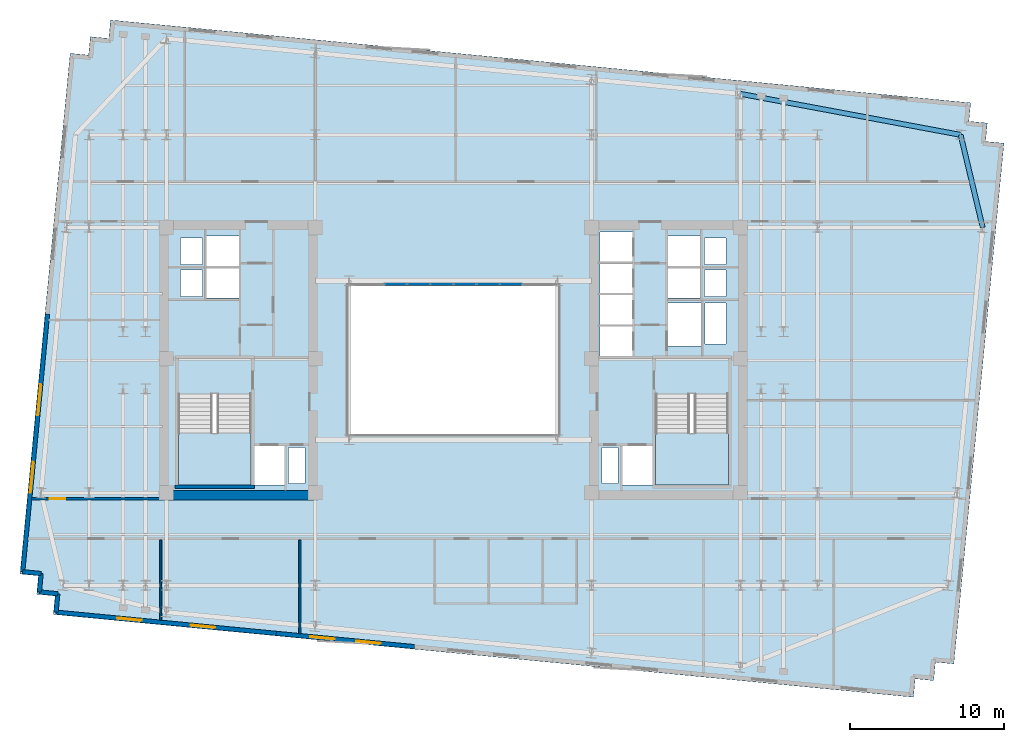
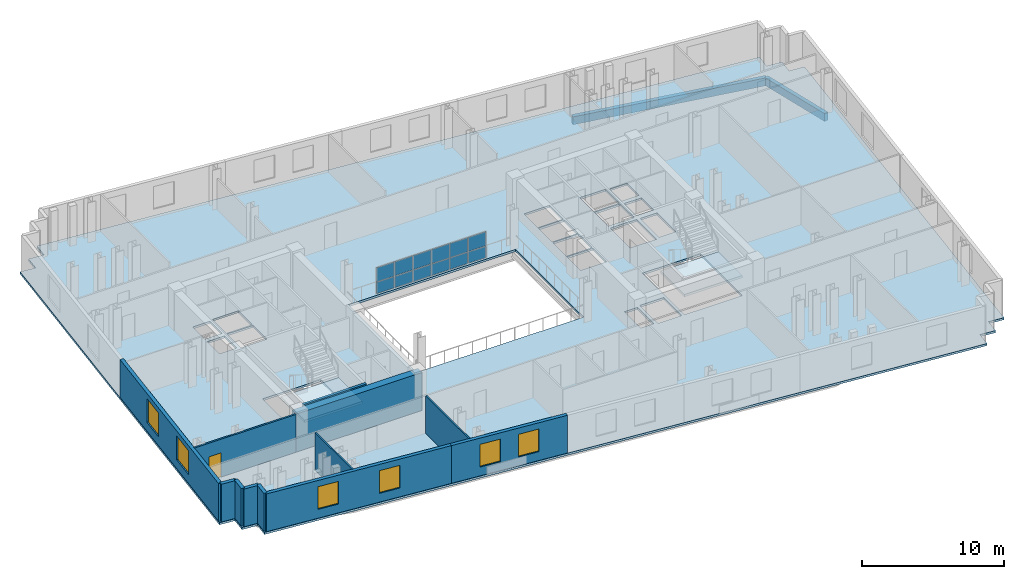
# One storey, part 4 of 10: 12 plates, 12 walls, 6 windows, 3 slabs, 2 beams, 1 door, 7 openings, 3 elements without a shape of their own.
"""IFC4 building model written with IfcOpenShell, lengths in metres."""

from ifc_helpers import new_model, si_unit, direction, frame, frame_2d, origin, origin_2d, place, context, subcontext, project, spatial, polyline, rectangle, outline, extrude, material, layer, layer_set, material_profile, profile_set, type_object, element, fill, aggregate, save


model = new_model("IFC4")

# Units and contexts
model_context = context("Model", 3, precision=1e-05, world=origin(), true_north=direction((0.0, 1.0)))
body_context = subcontext(model_context, "Body", "Model", "MODEL_VIEW")
ifc_project = project(units=[si_unit("LENGTHUNIT", "METRE"), si_unit("AREAUNIT", "SQUARE_METRE"), si_unit("VOLUMEUNIT", "CUBIC_METRE"), si_unit("PLANEANGLEUNIT", "RADIAN"), si_unit("MASSUNIT", "GRAM", prefix="KILO")], contexts=[model_context])

# Site, building, storey
site_placement = place(None, origin())
site = spatial("IfcSite", under=ifc_project, at=site_placement, CompositionType="ELEMENT")
building_placement = place(site_placement, origin())
building = spatial("IfcBuilding", under=site, at=building_placement, Name="Velakula Bourse", CompositionType="ELEMENT")
storey_placement = place(building_placement, frame((0.0, 0.0, 188.0)))
storey = spatial("IfcBuildingStorey", under=building, at=storey_placement, Name="L51", CompositionType="ELEMENT", Elevation=188.0)

# Beams
ifc_material_1 = material(Name="Precast concrete M45 (fck 45 MPa)", Category="concrete")
ifc_material_profile = material_profile(ifc_material_1, rectangle(XDim=0.320068359375, YDim=0.679931640625, at=origin_2d()), Name="Precast concrete M45 (fck 45 MPa)")
ifc_profile_set = profile_set([ifc_material_profile], Name="Precast concrete M45 (fck 45 MPa)")
beam_type = type_object("IfcBeamType", Name="SPN-BRICK-680", PredefinedType="SPANDREL", material=ifc_profile_set)
beam_1_placement = place(storey_placement, frame((34.30517578125, 8.60009765625, -0.52001953125), z_axis=(-0.232091371601, 0.972693988482, 0.0), x_axis=(-0.972693988482, -0.232091371601, 0.0)))
element("IfcBeam", 1, at=beam_1_placement, inside=storey, type_object=beam_type, Name="L51 Brick-Faced Precast Spandrel E3-E4", PredefinedType="SPANDREL", context=body_context, shape_type="SweptSolid", body=[
    extrude(rectangle(XDim=0.320068359375, YDim=0.679931640625, at=origin_2d()), origin(), (0.0, 0.0, 1.0), 6.16845703125),
])
beam_2_placement = place(storey_placement, frame((32.87353515625, 14.60009765625, -0.52001953125), z_axis=(-0.983069592122, 0.183232576378, 0.0), x_axis=(-0.183232576378, -0.983069592122, 0.0)))
element("IfcBeam", 2, at=beam_2_placement, inside=storey, type_object=beam_type, Name="L51 Brick-Faced Precast Spandrel E4-N4", PredefinedType="SPANDREL", context=body_context, shape_type="SweptSolid", body=[
    extrude(rectangle(XDim=0.320068359375, YDim=0.679931640625, at=origin_2d()), origin(), (0.0, 0.0, 1.0), 14.519287109375),
])

# Curtain wall, plates
ifc_material_2 = material(Name="Anodised bronze architectural aluminium", Category="aluminium")
ifc_layer_1 = layer(ifc_material_2, 0.14990234375, Name="Anodised bronze architectural aluminium", Category="aluminium")
ifc_layer_set_1 = layer_set([ifc_layer_1], Name="Anodised bronze architectural aluminium")
curtain_wall_type = type_object("IfcCurtainWallType", Name="CW-AT1", PredefinedType="NOTDEFINED", material=ifc_layer_set_1)
curtain_wall_placement = place(storey_placement, origin())
curtain_wall = element("IfcCurtainWall", 3, at=curtain_wall_placement, inside=storey, type_object=curtain_wall_type, Name="L51 Central Trading Atrium Fire-Rated Glazed Screen", PredefinedType="NOTDEFINED")
ifc_material_3 = material(Name="Fire-resistant EI 120 laminated glazing", Category="glass")
ifc_layer_2 = layer(ifc_material_3, 0.02392578125, Name="Fire-resistant EI 120 laminated glazing", Category="glass")
ifc_layer_set_2 = layer_set([ifc_layer_2], Name="Fire-resistant EI 120 laminated glazing")
plate_type = type_object("IfcPlateType", Name="PNL-CW-AT1", PredefinedType="CURTAIN_PANEL", material=ifc_layer_set_2)
plate_1_placement = place(storey_placement, frame((-3.735107421875, 4.919921875, 0.06005859375), z_axis=(0.0, 0.0, 1.0), x_axis=(1.0, 0.0, 0.0)))
plate_1 = element("IfcPlate", 4, at=plate_1_placement, type_object=plate_type, Name="CW-AT1 panel 1.1", PredefinedType="CURTAIN_PANEL", context=body_context, shape_type="SweptSolid", body=[
    extrude(rectangle(XDim=1.409912109375, YDim=0.028076171875, at=origin_2d()), origin(), (0.0, 0.0, 1.0), 0.96533203125),
])
plate_2_placement = place(storey_placement, frame((-3.735107421875, 4.919921875, 1.085205078125), z_axis=(0.0, 0.0, 1.0), x_axis=(1.0, 0.0, 0.0)))
plate_2 = element("IfcPlate", 5, at=plate_2_placement, type_object=plate_type, Name="CW-AT1 panel 1.2", PredefinedType="CURTAIN_PANEL", context=body_context, shape_type="SweptSolid", body=[
    extrude(rectangle(XDim=1.409912109375, YDim=0.028076171875, at=origin_2d()), origin(), (0.0, 0.0, 1.0), 1.19970703125),
])
plate_3_placement = place(storey_placement, frame((-2.25, 4.919921875, 0.06005859375), z_axis=(0.0, 0.0, 1.0), x_axis=(1.0, 0.0, 0.0)))
plate_3 = element("IfcPlate", 6, at=plate_3_placement, type_object=plate_type, Name="CW-AT1 panel 2.1", PredefinedType="CURTAIN_PANEL", context=body_context, shape_type="SweptSolid", body=[
    extrude(rectangle(XDim=1.43994140625, YDim=0.028076171875, at=origin_2d()), origin(), (0.0, 0.0, 1.0), 0.96533203125),
])
plate_4_placement = place(storey_placement, frame((-2.25, 4.919921875, 1.085205078125), z_axis=(0.0, 0.0, 1.0), x_axis=(1.0, 0.0, 0.0)))
plate_4 = element("IfcPlate", 7, at=plate_4_placement, type_object=plate_type, Name="CW-AT1 panel 2.2", PredefinedType="CURTAIN_PANEL", context=body_context, shape_type="SweptSolid", body=[
    extrude(rectangle(XDim=1.43994140625, YDim=0.028076171875, at=origin_2d()), origin(), (0.0, 0.0, 1.0), 1.19970703125),
])
plate_5_placement = place(storey_placement, frame((-0.75, 4.919921875, 0.06005859375), z_axis=(0.0, 0.0, 1.0), x_axis=(1.0, 0.0, 0.0)))
plate_5 = element("IfcPlate", 8, at=plate_5_placement, type_object=plate_type, Name="CW-AT1 panel 3.1", PredefinedType="CURTAIN_PANEL", context=body_context, shape_type="SweptSolid", body=[
    extrude(rectangle(XDim=1.43994140625, YDim=0.028076171875, at=origin_2d()), origin(), (0.0, 0.0, 1.0), 0.96533203125),
])
plate_6_placement = place(storey_placement, frame((-0.75, 4.919921875, 1.085205078125), z_axis=(0.0, 0.0, 1.0), x_axis=(1.0, 0.0, 0.0)))
plate_6 = element("IfcPlate", 9, at=plate_6_placement, type_object=plate_type, Name="CW-AT1 panel 3.2", PredefinedType="CURTAIN_PANEL", context=body_context, shape_type="SweptSolid", body=[
    extrude(rectangle(XDim=1.43994140625, YDim=0.028076171875, at=origin_2d()), origin(), (0.0, 0.0, 1.0), 1.19970703125),
])
plate_7_placement = place(storey_placement, frame((0.75, 4.919921875, 0.06005859375), z_axis=(0.0, 0.0, 1.0), x_axis=(1.0, 0.0, 0.0)))
plate_7 = element("IfcPlate", 10, at=plate_7_placement, type_object=plate_type, Name="CW-AT1 panel 4.1", PredefinedType="CURTAIN_PANEL", context=body_context, shape_type="SweptSolid", body=[
    extrude(rectangle(XDim=1.43994140625, YDim=0.028076171875, at=origin_2d()), origin(), (0.0, 0.0, 1.0), 0.96533203125),
])
plate_8_placement = place(storey_placement, frame((0.75, 4.919921875, 1.085205078125), z_axis=(0.0, 0.0, 1.0), x_axis=(1.0, 0.0, 0.0)))
plate_8 = element("IfcPlate", 11, at=plate_8_placement, type_object=plate_type, Name="CW-AT1 panel 4.2", PredefinedType="CURTAIN_PANEL", context=body_context, shape_type="SweptSolid", body=[
    extrude(rectangle(XDim=1.43994140625, YDim=0.028076171875, at=origin_2d()), origin(), (0.0, 0.0, 1.0), 1.19970703125),
])
plate_9_placement = place(storey_placement, frame((2.25, 4.919921875, 0.06005859375), z_axis=(0.0, 0.0, 1.0), x_axis=(1.0, 0.0, 0.0)))
plate_9 = element("IfcPlate", 12, at=plate_9_placement, type_object=plate_type, Name="CW-AT1 panel 5.1", PredefinedType="CURTAIN_PANEL", context=body_context, shape_type="SweptSolid", body=[
    extrude(rectangle(XDim=1.43994140625, YDim=0.028076171875, at=origin_2d()), origin(), (0.0, 0.0, 1.0), 0.96533203125),
])
plate_10_placement = place(storey_placement, frame((2.25, 4.919921875, 1.085205078125), z_axis=(0.0, 0.0, 1.0), x_axis=(1.0, 0.0, 0.0)))
plate_10 = element("IfcPlate", 13, at=plate_10_placement, type_object=plate_type, Name="CW-AT1 panel 5.2", PredefinedType="CURTAIN_PANEL", context=body_context, shape_type="SweptSolid", body=[
    extrude(rectangle(XDim=1.43994140625, YDim=0.028076171875, at=origin_2d()), origin(), (0.0, 0.0, 1.0), 1.19970703125),
])
plate_11_placement = place(storey_placement, frame((3.735107421875, 4.919921875, 0.06005859375), z_axis=(0.0, 0.0, 1.0), x_axis=(1.0, 0.0, 0.0)))
plate_11 = element("IfcPlate", 14, at=plate_11_placement, type_object=plate_type, Name="CW-AT1 panel 6.1", PredefinedType="CURTAIN_PANEL", context=body_context, shape_type="SweptSolid", body=[
    extrude(rectangle(XDim=1.409912109375, YDim=0.028076171875, at=origin_2d()), origin(), (0.0, 0.0, 1.0), 0.96533203125),
])
plate_12_placement = place(storey_placement, frame((3.735107421875, 4.919921875, 1.085205078125), z_axis=(0.0, 0.0, 1.0), x_axis=(1.0, 0.0, 0.0)))
plate_12 = element("IfcPlate", 15, at=plate_12_placement, type_object=plate_type, Name="CW-AT1 panel 6.2", PredefinedType="CURTAIN_PANEL", context=body_context, shape_type="SweptSolid", body=[
    extrude(rectangle(XDim=1.409912109375, YDim=0.028076171875, at=origin_2d()), origin(), (0.0, 0.0, 1.0), 1.19970703125),
])
aggregate(curtain_wall, [plate_1, plate_2, plate_3, plate_4, plate_5, plate_6, plate_7, plate_8, plate_9, plate_10, plate_11, plate_12])

# Stair, slab
ifc_material_4 = material(Name="Concrete M45 (fck 45 MPa)", Category="concrete")
stair_type = type_object("IfcStairType", Name="STR-DOG-390", PredefinedType="HALF_TURN_STAIR", material=ifc_material_4)
stair_1_placement = place(storey_placement, origin())
stair_1 = element("IfcStair", 16, at=stair_1_placement, inside=storey, type_object=stair_type, Name="L51 West Core Exit Stair ST-W1", PredefinedType="HALF_TURN_STAIR")
ifc_layer_3 = layer(ifc_material_4, 0.199951171875, Name="Concrete M45 (fck 45 MPa)", Category="concrete")
ifc_layer_set_3 = layer_set([ifc_layer_3], Name="Concrete M45 (fck 45 MPa)")
slab_type_1 = type_object("IfcSlabType", Name="SLB-STAIR-LND-200", PredefinedType="LANDING", material=ifc_layer_set_3)
slab_1_placement = place(storey_placement, frame((0.0, 0.0, 1.52490234375)))
slab_1 = element("IfcSlab", 17, at=slab_1_placement, type_object=slab_type_1, Name="ST-W1 landing 1", PredefinedType="LANDING", context=body_context, shape_type="SweptSolid", body=[
    extrude(outline(polyline([(-17.820068359375, -4.719970703125), (-17.820068359375, -8.10009765625), (-13.10009765625, -8.10009765625), (-13.10009765625, -4.719970703125), (-17.820068359375, -4.719970703125)])), origin(), (0.0, 0.0, 1.0), 0.2001953125),
])
aggregate(stair_1, [slab_1])

stair_2_placement = place(storey_placement, origin())
stair_2 = element("IfcStair", 18, at=stair_2_placement, inside=storey, type_object=stair_type, Name="L51 East Core Exit Stair ST-E1", PredefinedType="HALF_TURN_STAIR")
slab_2_placement = place(storey_placement, frame((0.0, 0.0, 1.52490234375)))
slab_2 = element("IfcSlab", 19, at=slab_2_placement, type_object=slab_type_1, Name="ST-E1 landing 1", PredefinedType="LANDING", context=body_context, shape_type="SweptSolid", body=[
    extrude(outline(polyline([(13.10009765625, -4.719970703125), (13.10009765625, -8.10009765625), (17.820068359375, -8.10009765625), (17.820068359375, -4.719970703125), (13.10009765625, -4.719970703125)])), origin(), (0.0, 0.0, 1.0), 0.2001953125),
])
aggregate(stair_2, [slab_2])

# Slab
ifc_material_5 = material(Name="Concrete M50 (fck 50 MPa)", Category="concrete")
ifc_layer_4 = layer(ifc_material_5, 0.179931640625, Name="Concrete M50 (fck 50 MPa)", Category="concrete")
ifc_layer_set_4 = layer_set([ifc_layer_4], Name="Concrete M50 (fck 50 MPa)")
slab_type_2 = type_object("IfcSlabType", Name="SLB-TWR-180", PredefinedType="FLOOR", material=ifc_layer_set_4)
slab_3_placement = place(storey_placement, frame((0.0, 0.0, -0.179931640625)))
element("IfcSlab", 20, at=slab_3_placement, inside=storey, type_object=slab_type_2, Name="L51 Suspended Structural Floor Slab", PredefinedType="FLOOR", context=body_context, shape_type="SweptSolid", body=[
    extrude(outline(polyline([(-25.92578125, -16.477294921875), (29.81640625, -21.844482421875), (29.931396484375, -20.650146484375), (31.1259765625, -20.76513671875), (31.240966796875, -19.570556640625), (32.435546875, -19.685791015625), (35.6845703125, 14.058349609375), (34.490234375, 14.17333984375), (34.605224609375, 15.36767578125), (33.41064453125, 15.482666015625), (33.525634765625, 16.67724609375), (-22.216552734375, 22.044677734375), (-22.33154296875, 20.85009765625), (-23.52587890625, 20.965087890625), (-23.640869140625, 19.770751953125), (-24.83544921875, 19.8857421875), (-28.084716796875, -13.858154296875), (-26.89013671875, -13.973388671875), (-27.005126953125, -15.167724609375), (-25.810791015625, -15.28271484375), (-25.92578125, -16.477294921875)]), holes=[polyline([(-17.820068359375, -8.10009765625), (-13.10009765625, -8.10009765625), (-13.10009765625, -2.199951171875), (-17.820068359375, -2.199951171875), (-17.820068359375, -8.10009765625)]), polyline([(13.10009765625, -8.10009765625), (17.820068359375, -8.10009765625), (17.820068359375, -2.199951171875), (13.10009765625, -2.199951171875), (13.10009765625, -8.10009765625)]), polyline([(-12.89990234375, -8.10009765625), (-10.949951171875, -8.10009765625), (-10.949951171875, -5.550048828125), (-12.89990234375, -5.550048828125), (-12.89990234375, -8.10009765625)]), polyline([(10.949951171875, -8.10009765625), (12.89990234375, -8.10009765625), (12.89990234375, -5.550048828125), (10.949951171875, -5.550048828125), (10.949951171875, -8.10009765625)]), polyline([(13.89990234375, 0.919921875), (16.050048828125, 0.919921875), (16.050048828125, 3.719970703125), (13.89990234375, 3.719970703125), (13.89990234375, 0.919921875)]), polyline([(-10.679931640625, -7.97998046875), (-9.6201171875, -7.97998046875), (-9.6201171875, -5.669921875), (-10.679931640625, -5.669921875), (-10.679931640625, -7.97998046875)]), polyline([(-17.679931640625, 4.139892578125), (-16.27001953125, 4.139892578125), (-16.27001953125, 5.85009765625), (-17.679931640625, 5.85009765625), (-17.679931640625, 4.139892578125)]), polyline([(-17.679931640625, 6.2099609375), (-16.27001953125, 6.2099609375), (-16.27001953125, 7.919921875), (-17.679931640625, 7.919921875), (-17.679931640625, 6.2099609375)]), polyline([(9.6201171875, -7.97998046875), (10.679931640625, -7.97998046875), (10.679931640625, -5.669921875), (9.6201171875, -5.669921875), (9.6201171875, -7.97998046875)]), polyline([(16.27001953125, 4.139892578125), (17.679931640625, 4.139892578125), (17.679931640625, 5.85009765625), (16.27001953125, 5.85009765625), (16.27001953125, 4.139892578125)]), polyline([(16.27001953125, 6.2099609375), (17.679931640625, 6.2099609375), (17.679931640625, 7.919921875), (16.27001953125, 7.919921875), (16.27001953125, 6.2099609375)]), polyline([(16.320068359375, 1.0400390625), (17.679931640625, 1.0400390625), (17.679931640625, 3.699951171875), (16.320068359375, 3.699951171875), (16.320068359375, 1.0400390625)]), polyline([(9.5, 0.280029296875), (11.60009765625, 0.280029296875), (11.60009765625, 2.199951171875), (9.5, 2.199951171875), (9.5, 0.280029296875)]), polyline([(9.5, 2.31005859375), (11.60009765625, 2.31005859375), (11.60009765625, 4.22998046875), (9.5, 4.22998046875), (9.5, 2.31005859375)]), polyline([(9.5, 4.340087890625), (11.60009765625, 4.340087890625), (11.60009765625, 6.260009765625), (9.5, 6.260009765625), (9.5, 4.340087890625)]), polyline([(9.5, 6.3701171875), (11.60009765625, 6.3701171875), (11.60009765625, 8.2900390625), (9.5, 8.2900390625), (9.5, 6.3701171875)]), polyline([(-16.0, 4.02001953125), (-13.89990234375, 4.02001953125), (-13.89990234375, 5.969970703125), (-16.0, 5.969970703125), (-16.0, 4.02001953125)]), polyline([(-16.0, 6.090087890625), (-13.89990234375, 6.090087890625), (-13.89990234375, 8.0400390625), (-16.0, 8.0400390625), (-16.0, 6.090087890625)]), polyline([(13.89990234375, 4.02001953125), (16.0, 4.02001953125), (16.0, 5.969970703125), (13.89990234375, 5.969970703125), (13.89990234375, 4.02001953125)]), polyline([(13.89990234375, 6.090087890625), (16.0, 6.090087890625), (16.0, 8.0400390625), (13.89990234375, 8.0400390625), (13.89990234375, 6.090087890625)]), polyline([(-6.800048828125, -4.800048828125), (6.800048828125, -4.800048828125), (6.800048828125, 4.800048828125), (-6.800048828125, 4.800048828125), (-6.800048828125, -4.800048828125)])]), origin(), (0.0, 0.0, 1.0), 0.179931640625),
])

# Walls
ifc_layer_5 = layer(ifc_material_5, 0.2099609375, Name="Concrete M50 (fck 50 MPa)", Category="concrete")
ifc_layer_set_5 = layer_set([ifc_layer_5], Name="Concrete M50 (fck 50 MPa)")
wall_type_1 = type_object("IfcWallType", Name="WL-CORE-210", PredefinedType="SHEAR", material=ifc_layer_set_5)
wall_1_placement = place(storey_placement, frame((-18.030029296875, -8.205078125, 0.0), z_axis=(0.0, 0.0, 1.0), x_axis=(1.0, 0.0, 0.0)))
element("IfcWall", 21, at=wall_1_placement, inside=storey, type_object=wall_type_1, Name="L51 Core W Stairwell Shear Wall S", PredefinedType="SHEAR", context=body_context, shape_type="SweptSolid", body=[
    extrude(rectangle(XDim=5.14013671875, YDim=0.2099609375, at=frame_2d((2.570068359375, 0.0))), origin(), (0.0, 0.0, 1.0), 3.27001953125),
])
ifc_material_6 = material(Name="Concrete M70 (fck 70 MPa)", Category="concrete")
ifc_layer_6 = layer(ifc_material_6, 0.60009765625, Name="Concrete M70 (fck 70 MPa)", Category="concrete")
ifc_layer_set_6 = layer_set([ifc_layer_6], Name="Concrete M70 (fck 70 MPa)")
wall_type_2 = type_object("IfcWallType", Name="WL-CORE-600", PredefinedType="SHEAR", material=ifc_layer_set_6)
wall_2_placement = place(storey_placement, frame((-19.050048828125, -8.75, 0.0), z_axis=(0.0, 0.0, 1.0), x_axis=(1.0, 0.0, 0.0)))
element("IfcWall", 22, at=wall_2_placement, inside=storey, type_object=wall_type_2, Name="L51 Core W Shear Wall S", PredefinedType="SHEAR", context=body_context, shape_type="SweptSolid", body=[
    extrude(rectangle(XDim=10.25, YDim=0.60009765625, at=frame_2d((5.125, 0.0))), origin(), (0.0, 0.0, 1.0), 3.27001953125),
])

# Wall, openings, windows
ifc_material_7 = material(Name="Red kilned clay facing brick masonry", Category="masonry")
ifc_layer_7 = layer(ifc_material_7, 0.280029296875, Name="Red kilned clay facing brick masonry", Category="masonry")
ifc_layer_set_7 = layer_set([ifc_layer_7], Name="Red kilned clay facing brick masonry")
wall_type_3 = type_object("IfcWallType", Name="WL-EXT-BRK-280", PredefinedType="STANDARD", material=ifc_layer_set_7)
wall_3_placement = place(storey_placement, frame((-11.47705078125, -17.707763671875, 0.0), z_axis=(0.0, 0.0, 1.0), x_axis=(-0.995395762701, 0.095850276977, 0.0)))
wall_3 = element("IfcWall", 23, at=wall_3_placement, inside=storey, type_object=wall_type_3, Name="L51 S Brick Spandrel Wall B1", PredefinedType="STANDARD", context=body_context, shape_type="SweptSolid", body=[
    extrude(rectangle(XDim=14.340087890625, YDim=0.280029296875, at=frame_2d((7.169921875, 0.0))), origin(), (0.0, 0.0, 1.0), 3.25),
])
opening_1_placement = place(wall_3_placement, frame((3.97998046875, 0.0, 0.760009765625)))
opening_1 = element("IfcOpeningElement", 24, at=opening_1_placement, cuts=wall_3, Name="Opening W-02", PredefinedType="OPENING", context=body_context, shape_type="SweptSolid", body=[
    extrude(rectangle(XDim=1.60009765625, YDim=1.949951171875, at=frame_2d((0.800048828125, 0.97509765625))), frame((0.0, 0.14990234375, 0.0), z_axis=(0.0, -1.0, 0.0), x_axis=(1.0, 0.0, 0.0)), (0.0, 0.0, 1.0), 0.300048828125),
])
opening_2_placement = place(wall_3_placement, frame((8.760009765625, 0.0, 0.760009765625)))
opening_2 = element("IfcOpeningElement", 25, at=opening_2_placement, cuts=wall_3, Name="Opening W-02", PredefinedType="OPENING", context=body_context, shape_type="SweptSolid", body=[
    extrude(rectangle(XDim=1.60009765625, YDim=1.949951171875, at=frame_2d((0.800048828125, 0.97509765625))), frame((0.0, 0.14990234375, 0.0), z_axis=(0.0, -1.0, 0.0), x_axis=(1.0, 0.0, 0.0)), (0.0, 0.0, 1.0), 0.300048828125),
])
ifc_material_8 = material(Name="Double-glazed solar-control Low-E glass", Category="glass")
window_type_1 = type_object("IfcWindowType", Name="WIN-TWR-1600x2100", PartitioningType="SINGLE_PANEL", PredefinedType="WINDOW", material=ifc_material_8)
window_1_placement = place(opening_1_placement, origin())
window_1 = element("IfcWindow", 26, at=window_1_placement, inside=storey, type_object=window_type_1, Name="L51 Deep-Set Recessed Window 1", OverallHeight=1.949951171875, OverallWidth=1.60009765625, PartitioningType="SINGLE_PANEL", PredefinedType="WINDOW", context=body_context, shape_type="SweptSolid", body=[
    extrude(rectangle(XDim=1.60009765625, YDim=1.949951171875, at=frame_2d((0.800048828125, 0.97509765625))), frame((0.0, 0.030029296875, 0.0), z_axis=(0.0, -1.0, 0.0), x_axis=(1.0, 0.0, 0.0)), (0.0, 0.0, 1.0), 0.06005859375),
])
fill(opening_1, window_1)
window_2_placement = place(opening_2_placement, origin())
window_2 = element("IfcWindow", 27, at=window_2_placement, inside=storey, type_object=window_type_1, Name="L51 Deep-Set Recessed Window 2", OverallHeight=1.949951171875, OverallWidth=1.60009765625, PartitioningType="SINGLE_PANEL", PredefinedType="WINDOW", context=body_context, shape_type="SweptSolid", body=[
    extrude(rectangle(XDim=1.60009765625, YDim=1.949951171875, at=frame_2d((0.800048828125, 0.97509765625))), frame((0.0, 0.030029296875, 0.0), z_axis=(0.0, -1.0, 0.0), x_axis=(1.0, 0.0, 0.0)), (0.0, 0.0, 1.0), 0.06005859375),
])
fill(opening_2, window_2)

wall_4_placement = place(storey_placement, frame((-2.5185546875, -18.5703125, 0.0), z_axis=(0.0, 0.0, 1.0), x_axis=(-0.995396794462, 0.09583956164, 0.0)))
wall_4 = element("IfcWall", 28, at=wall_4_placement, inside=storey, type_object=wall_type_3, Name="L51 S Brick Spandrel Wall B2", PredefinedType="STANDARD", context=body_context, shape_type="SweptSolid", body=[
    extrude(rectangle(XDim=9.0, YDim=0.280029296875, at=frame_2d((4.5, 0.0))), origin(), (0.0, 0.0, 1.0), 3.25),
])
opening_3_placement = place(wall_4_placement, frame((2.199951171875, 0.0, 0.760009765625)))
opening_3 = element("IfcOpeningElement", 29, at=opening_3_placement, cuts=wall_4, Name="Opening W-02", PredefinedType="OPENING", context=body_context, shape_type="SweptSolid", body=[
    extrude(rectangle(XDim=1.60009765625, YDim=1.949951171875, at=frame_2d((0.800048828125, 0.97509765625))), frame((0.0, 0.14990234375, 0.0), z_axis=(0.0, -1.0, 0.0), x_axis=(1.0, 0.0, 0.0)), (0.0, 0.0, 1.0), 0.300048828125),
])
opening_4_placement = place(wall_4_placement, frame((5.199951171875, 0.0, 0.760009765625)))
opening_4 = element("IfcOpeningElement", 30, at=opening_4_placement, cuts=wall_4, Name="Opening W-02", PredefinedType="OPENING", context=body_context, shape_type="SweptSolid", body=[
    extrude(rectangle(XDim=1.60009765625, YDim=1.949951171875, at=frame_2d((0.800048828125, 0.97509765625))), frame((0.0, 0.14990234375, 0.0), z_axis=(0.0, -1.0, 0.0), x_axis=(1.0, 0.0, 0.0)), (0.0, 0.0, 1.0), 0.300048828125),
])
window_3_placement = place(opening_3_placement, origin())
window_3 = element("IfcWindow", 31, at=window_3_placement, inside=storey, type_object=window_type_1, Name="L51 Deep-Set Recessed Window 1", OverallHeight=1.949951171875, OverallWidth=1.60009765625, PartitioningType="SINGLE_PANEL", PredefinedType="WINDOW", context=body_context, shape_type="SweptSolid", body=[
    extrude(rectangle(XDim=1.60009765625, YDim=1.949951171875, at=frame_2d((0.800048828125, 0.97509765625))), frame((0.0, 0.030029296875, 0.0), z_axis=(0.0, -1.0, 0.0), x_axis=(1.0, 0.0, 0.0)), (0.0, 0.0, 1.0), 0.06005859375),
])
fill(opening_3, window_3)
window_4_placement = place(opening_4_placement, origin())
window_4 = element("IfcWindow", 32, at=window_4_placement, inside=storey, type_object=window_type_1, Name="L51 Deep-Set Recessed Window 2", OverallHeight=1.949951171875, OverallWidth=1.60009765625, PartitioningType="SINGLE_PANEL", PredefinedType="WINDOW", context=body_context, shape_type="SweptSolid", body=[
    extrude(rectangle(XDim=1.60009765625, YDim=1.949951171875, at=frame_2d((0.800048828125, 0.97509765625))), frame((0.0, 0.030029296875, 0.0), z_axis=(0.0, -1.0, 0.0), x_axis=(1.0, 0.0, 0.0)), (0.0, 0.0, 1.0), 0.06005859375),
])
fill(opening_4, window_4)

wall_5_placement = place(storey_placement, frame((-27.909912109375, -13.71435546875, 0.0), z_axis=(0.0, 0.0, 1.0), x_axis=(0.095839027265, 0.995396845913, 0.0)))
wall_5 = element("IfcWall", 33, at=wall_5_placement, inside=storey, type_object=wall_type_3, Name="L51 W Brick End Wall W1", PredefinedType="STANDARD", context=body_context, shape_type="SweptSolid", body=[
    extrude(rectangle(XDim=16.7900390625, YDim=0.280029296875, at=frame_2d((8.39501953125, 0.0))), origin(), (0.0, 0.0, 1.0), 3.25),
])
opening_5_placement = place(wall_5_placement, frame((5.146728515625, 0.0, 0.760009765625)))
opening_5 = element("IfcOpeningElement", 34, at=opening_5_placement, cuts=wall_5, Name="Opening W-05", PredefinedType="OPENING", context=body_context, shape_type="SweptSolid", body=[
    extrude(rectangle(XDim=2.0, YDim=2.050048828125, at=frame_2d((1.0, 1.02490234375))), frame((0.0, 0.14990234375, 0.0), z_axis=(0.0, -1.0, 0.0), x_axis=(1.0, 0.0, 0.0)), (0.0, 0.0, 1.0), 0.300048828125),
])
opening_6_placement = place(wall_5_placement, frame((10.193359375, 0.0, 0.760009765625)))
opening_6 = element("IfcOpeningElement", 35, at=opening_6_placement, cuts=wall_5, Name="Opening W-05", PredefinedType="OPENING", context=body_context, shape_type="SweptSolid", body=[
    extrude(rectangle(XDim=2.0, YDim=2.050048828125, at=frame_2d((1.0, 1.02490234375))), frame((0.0, 0.14990234375, 0.0), z_axis=(0.0, -1.0, 0.0), x_axis=(1.0, 0.0, 0.0)), (0.0, 0.0, 1.0), 0.300048828125),
])
window_type_2 = type_object("IfcWindowType", Name="WIN-TWR-2000x2200", PartitioningType="DOUBLE_PANEL_VERTICAL", PredefinedType="WINDOW", material=ifc_material_8)
window_5_placement = place(opening_5_placement, origin())
window_5 = element("IfcWindow", 36, at=window_5_placement, inside=storey, type_object=window_type_2, Name="L51 Deep-Set Recessed Window 1", OverallHeight=2.050048828125, OverallWidth=2.0, PartitioningType="DOUBLE_PANEL_VERTICAL", PredefinedType="WINDOW", context=body_context, shape_type="SweptSolid", body=[
    extrude(rectangle(XDim=2.0, YDim=2.050048828125, at=frame_2d((1.0, 1.02490234375))), frame((0.0, 0.030029296875, 0.0), z_axis=(0.0, -1.0, 0.0), x_axis=(1.0, 0.0, 0.0)), (0.0, 0.0, 1.0), 0.06005859375),
])
fill(opening_5, window_5)
window_6_placement = place(opening_6_placement, origin())
window_6 = element("IfcWindow", 37, at=window_6_placement, inside=storey, type_object=window_type_2, Name="L51 Deep-Set Recessed Window 2", OverallHeight=2.050048828125, OverallWidth=2.0, PartitioningType="DOUBLE_PANEL_VERTICAL", PredefinedType="WINDOW", context=body_context, shape_type="SweptSolid", body=[
    extrude(rectangle(XDim=2.0, YDim=2.050048828125, at=frame_2d((1.0, 1.02490234375))), frame((0.0, 0.030029296875, 0.0), z_axis=(0.0, -1.0, 0.0), x_axis=(1.0, 0.0, 0.0)), (0.0, 0.0, 1.0), 0.06005859375),
])
fill(opening_6, window_6)

# Walls
wall_6_placement = place(storey_placement, frame((-27.909912109375, -13.71435546875, 0.0), z_axis=(0.0, 0.0, 1.0), x_axis=(0.995397091755, -0.095836473879, 0.0)))
element("IfcWall", 38, at=wall_6_placement, inside=storey, type_object=wall_type_3, Name="L51 Serrated Corner Brick Wall SW-1", PredefinedType="STANDARD", context=body_context, shape_type="SweptSolid", body=[
    extrude(rectangle(XDim=1.199951171875, YDim=0.280029296875, at=frame_2d((0.60009765625, 0.0))), origin(), (0.0, 0.0, 1.0), 3.25),
])
for number, where, z_axis, x_axis, name in (
    (39, (-26.715576171875, -13.829345703125, 0.0), (0.0, 0.0, 1.0), (-0.095817067274, -0.995398960025, 0.0), "L51 Serrated Corner Brick Wall SW-2"),
    (40, (-26.83056640625, -15.02392578125, 0.0), (0.0, 0.0, 1.0), (0.995398960025, -0.095817067274, 0.0), "L51 Serrated Corner Brick Wall SW-3"),
):
    element("IfcWall", number, at=place(storey_placement, frame(where, z_axis=z_axis, x_axis=x_axis)), inside=storey, type_object=wall_type_3, Name=name, PredefinedType="STANDARD", context=body_context, shape_type="SweptSolid", body=[
        extrude(rectangle(XDim=1.2001953125, YDim=0.280029296875, at=frame_2d((0.60009765625, 0.0))), origin(), (0.0, 0.0, 1.0), 3.25),
    ])
wall_7_placement = place(storey_placement, frame((-25.635986328125, -15.138916015625, 0.0), z_axis=(0.0, 0.0, 1.0), x_axis=(-0.096038073607, -0.995377661201, 0.0)))
element("IfcWall", 41, at=wall_7_placement, inside=storey, type_object=wall_type_3, Name="L51 Serrated Corner Brick Wall SW-4", PredefinedType="STANDARD", context=body_context, shape_type="SweptSolid", body=[
    extrude(rectangle(XDim=1.199951171875, YDim=0.280029296875, at=frame_2d((0.60009765625, 0.0))), origin(), (0.0, 0.0, 1.0), 3.25),
])
ifc_material_9 = material(Name="Fire-rated double-layer gypsum drywall partition", Category="gypsum")
ifc_layer_8 = layer(ifc_material_9, 0.1201171875, Name="Fire-rated double-layer gypsum drywall partition", Category="gypsum")
ifc_layer_set_8 = layer_set([ifc_layer_8], Name="Fire-rated double-layer gypsum drywall partition")
wall_type_4 = type_object("IfcWallType", Name="WL-PART-120", PredefinedType="STANDARD", material=ifc_layer_set_8)
wall_8_placement = place(storey_placement, frame((-18.964111328125, -16.8662109375, 0.0), z_axis=(0.0, 0.0, 1.0), x_axis=(0.0, 1.0, 0.0)))
element("IfcWall", 42, at=wall_8_placement, inside=storey, type_object=wall_type_4, Name="L51 Interior Partition WL-INT-L51-SL-D5", PredefinedType="STANDARD", context=body_context, shape_type="SweptSolid", body=[
    extrude(rectangle(XDim=5.226318359375, YDim=0.1201171875, at=frame_2d((2.61328125, 0.0))), origin(), (0.0, 0.0, 1.0), 3.25),
])
wall_9_placement = place(storey_placement, frame((-9.948974609375, -17.734375, 0.0), z_axis=(0.0, 0.0, 1.0), x_axis=(0.0, 1.0, 0.0)))
element("IfcWall", 43, at=wall_9_placement, inside=storey, type_object=wall_type_4, Name="L51 Interior Partition WL-INT-L51-SL-D6", PredefinedType="STANDARD", context=body_context, shape_type="SweptSolid", body=[
    extrude(rectangle(XDim=6.094482421875, YDim=0.1201171875, at=frame_2d((3.04736328125, 0.0))), origin(), (0.0, 0.0, 1.0), 3.25),
])

# Wall, opening, door
ifc_layer_9 = layer(ifc_material_9, 0.139892578125, Name="Fire-rated double-layer gypsum drywall partition", Category="gypsum")
ifc_layer_set_9 = layer_set([ifc_layer_9], Name="Fire-rated double-layer gypsum drywall partition")
wall_type_5 = type_object("IfcWallType", Name="WL-PART-140", PredefinedType="STANDARD", material=ifc_layer_set_9)
wall_10_placement = place(storey_placement, frame((-27.33349609375, -8.97998046875, 0.0), z_axis=(0.0, 0.0, 1.0), x_axis=(1.0, 0.0, 0.0)))
wall_10 = element("IfcWall", 44, at=wall_10_placement, inside=storey, type_object=wall_type_5, Name="L51 Interior Partition WL-INT-L51-W-SC", PredefinedType="STANDARD", context=body_context, shape_type="SweptSolid", body=[
    extrude(rectangle(XDim=8.283447265625, YDim=0.139892578125, at=frame_2d((4.1416015625, 0.0))), origin(), (0.0, 0.0, 1.0), 3.25),
])
opening_7_placement = place(wall_10_placement, frame((1.17724609375, 0.0, 0.0)))
opening_7 = element("IfcOpeningElement", 45, at=opening_7_placement, cuts=wall_10, Name="Opening D-OF1", PredefinedType="OPENING", context=body_context, shape_type="SweptSolid", body=[
    extrude(rectangle(XDim=1.0, YDim=2.080078125, at=frame_2d((0.5, 1.0400390625))), frame((0.0, 0.079833984375, 0.0), z_axis=(0.0, -1.0, 0.0), x_axis=(1.0, 0.0, 0.0)), (0.0, 0.0, 1.0), 0.159912109375),
])
ifc_material_10 = material(Name="Fire-rated hardwood flush architectural door", Category="wood")
door_type = type_object("IfcDoorType", Name="DR-OFF-1000", OperationType="NOTDEFINED", PredefinedType="DOOR", material=ifc_material_10)
door_placement = place(opening_7_placement, origin())
door = element("IfcDoor", 46, at=door_placement, inside=storey, type_object=door_type, Name="L51 Market Data Feed Workspace Door", OperationType="SINGLE_SWING_RIGHT", OverallHeight=2.080078125, OverallWidth=1.0, PredefinedType="DOOR", context=body_context, shape_type="SweptSolid", body=[
    extrude(rectangle(XDim=1.0, YDim=2.080078125, at=frame_2d((0.5, 1.0400390625))), frame((0.0, 0.02490234375, 0.0), z_axis=(0.0, -1.0, 0.0), x_axis=(1.0, 0.0, 0.0)), (0.0, 0.0, 1.0), 0.050048828125),
])
fill(opening_7, door)

save(model, "model.ifc")
